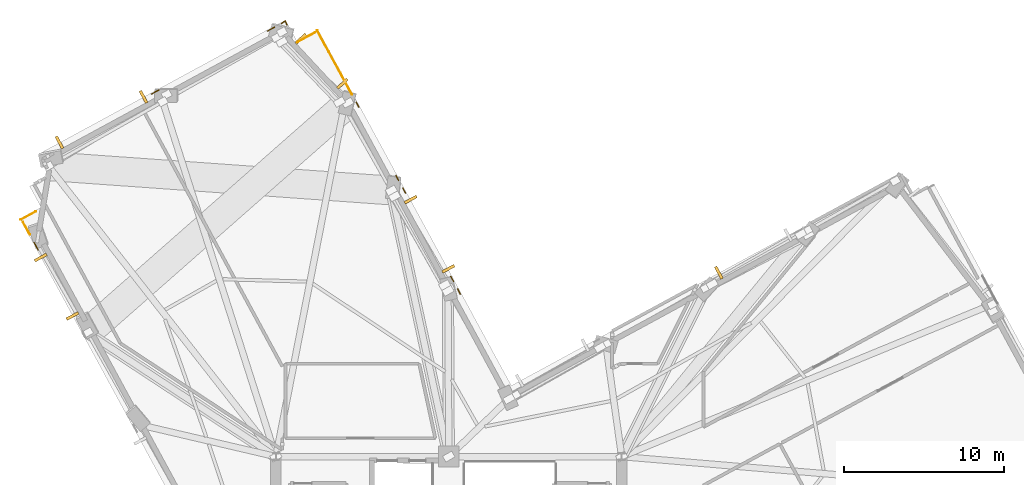
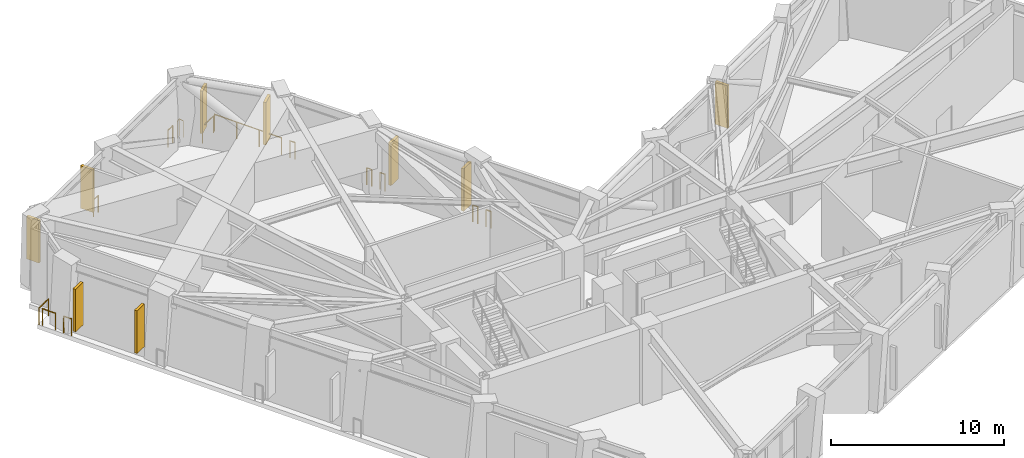
# One storey, part 14 of 15: 13 railings, 9 shading devices.
"""IFC4 building model written with IfcOpenShell, lengths in metres."""

from ifc_helpers import new_model, si_unit, direction, frame, origin, origin_2d, place, context, subcontext, project, spatial, rectangle, circle, extrude, material, layer, layer_set, type_object, element, save


model = new_model("IFC4")

# Units and contexts
model_context = context("Model", 3, precision=1e-05, world=origin(), true_north=direction((0.0, 1.0)))
body_context = subcontext(model_context, "Body", "Model", "MODEL_VIEW")
ifc_project = project(units=[si_unit("LENGTHUNIT", "METRE"), si_unit("AREAUNIT", "SQUARE_METRE"), si_unit("VOLUMEUNIT", "CUBIC_METRE"), si_unit("PLANEANGLEUNIT", "RADIAN"), si_unit("MASSUNIT", "GRAM", prefix="KILO")], contexts=[model_context])

# Site, building, storey
site_placement = place(None, origin())
site = spatial("IfcSite", under=ifc_project, at=site_placement, CompositionType="ELEMENT")
building_placement = place(site_placement, origin())
building = spatial("IfcBuilding", under=site, at=building_placement, Name="Gaonmaruhae Medical Tower", CompositionType="ELEMENT")
storey_placement = place(building_placement, frame((0.0, 0.0, 144.39990234375)))
storey = spatial("IfcBuildingStorey", under=building, at=storey_placement, Name="L34", CompositionType="ELEMENT", Elevation=144.39990234375)

# Railings
ifc_material_1 = material(Name="Stainless steel 316L and laminated safety glass", Category="steel")
ifc_layer = layer(ifc_material_1, 0.080078125)
ifc_layer_set = layer_set([ifc_layer], Name="Stainless steel 316L and laminated safety glass")
railing_type = type_object("IfcRailingType", Name="GD-120 Outdoor Terrace Safety Glass & Steel Balustrade", PredefinedType="BALUSTRADE", material=ifc_layer_set)
railing_1_placement = place(storey_placement, frame((25.517578125, 26.96484375, 0.0)))
element("IfcRailing", 1, at=railing_1_placement, inside=storey, type_object=railing_type, Name="L34 Perimeter Slab Edge Safety Balustrade 10", PredefinedType="BALUSTRADE", context=body_context, shape_type="SweptSolid", body=[
    extrude(circle(Radius=0.02392578125, at=origin_2d()), frame((0.0, 0.0, 1.17578125), z_axis=(-0.476885497697, 0.878965427128, 0.0), x_axis=(-0.878965427128, -0.476885497697, 0.0)), (0.0, 0.0, 1.0), 0.33935546875),
    extrude(circle(Radius=0.02099609375, at=origin_2d()), origin(), (0.0, 0.0, 1.0), 1.15185546875),
    extrude(circle(Radius=0.02099609375, at=origin_2d()), frame((-0.161865234375, 0.29833984375, 0.0)), (0.0, 0.0, 1.0), 1.15185546875),
])
for number, where, name in (
    (2, (25.089599609375, 27.753173828125, 0.0), "L34 Perimeter Slab Edge Safety Balustrade 11"),
    (3, (22.093017578125, 33.272216796875, 0.0), "L34 Perimeter Slab Edge Safety Balustrade 12"),
    (4, (21.664794921875, 34.060791015625, 0.0), "L34 Perimeter Slab Edge Safety Balustrade 13"),
):
    element("IfcRailing", number, at=place(storey_placement, frame(where)), inside=storey, type_object=railing_type, Name=name, PredefinedType="BALUSTRADE", context=body_context, shape_type="SweptSolid", body=[
        extrude(circle(Radius=0.02392578125, at=origin_2d()), frame((0.0, 0.0, 1.17578125), z_axis=(-0.477440916625, 0.878663855597, 0.0), x_axis=(-0.878663855597, -0.477440916625, 0.0)), (0.0, 0.0, 1.0), 0.339599609375),
        extrude(circle(Radius=0.02099609375, at=origin_2d()), origin(), (0.0, 0.0, 1.0), 1.15185546875),
        extrude(circle(Radius=0.02099609375, at=origin_2d()), frame((-0.162109375, 0.29833984375, 0.0)), (0.0, 0.0, 1.0), 1.15185546875),
    ])
railing_2_placement = place(storey_placement, frame((19.181884765625, 38.6337890625, 0.0)))
element("IfcRailing", 5, at=railing_2_placement, inside=storey, type_object=railing_type, Name="L34 Perimeter Slab Edge Safety Balustrade 14", PredefinedType="BALUSTRADE", context=body_context, shape_type="SweptSolid", body=[
    extrude(circle(Radius=0.02392578125, at=origin_2d()), frame((0.0, 0.0, 1.17578125), z_axis=(-0.477187159755, 0.8788016924, 0.0), x_axis=(-0.8788016924, -0.477187159755, 0.0)), (0.0, 0.0, 1.0), 0.339111328125),
    extrude(circle(Radius=0.02099609375, at=origin_2d()), origin(), (0.0, 0.0, 1.0), 1.15185546875),
    extrude(circle(Radius=0.02099609375, at=origin_2d()), frame((-0.161865234375, 0.298095703125, 0.0)), (0.0, 0.0, 1.0), 1.15185546875),
])
railing_3_placement = place(storey_placement, frame((18.75390625, 39.422119140625, 0.0)))
element("IfcRailing", 6, at=railing_3_placement, inside=storey, type_object=railing_type, Name="L34 Perimeter Slab Edge Safety Balustrade 15", PredefinedType="BALUSTRADE", context=body_context, shape_type="SweptSolid", body=[
    extrude(circle(Radius=0.02392578125, at=origin_2d()), frame((0.0, 0.0, 1.17578125), z_axis=(-0.477184306277, 0.878803241825, 0.0), x_axis=(-0.878803241825, -0.477184306277, 0.0)), (0.0, 0.0, 1.0), 4.5458984375),
    extrude(circle(Radius=0.02099609375, at=origin_2d()), origin(), (0.0, 0.0, 1.0), 1.15185546875),
    extrude(circle(Radius=0.02099609375, at=origin_2d()), frame((-0.72314453125, 1.33154296875, 0.0)), (0.0, 0.0, 1.0), 1.15185546875),
    extrude(circle(Radius=0.02099609375, at=origin_2d()), frame((-1.446044921875, 2.663330078125, 0.0)), (0.0, 0.0, 1.0), 1.15185546875),
    extrude(circle(Radius=0.02099609375, at=origin_2d()), frame((-2.169189453125, 3.994873046875, 0.0)), (0.0, 0.0, 1.0), 1.15185546875),
])
railing_4_placement = place(storey_placement, frame((16.447509765625, 43.28564453125, 0.0)))
element("IfcRailing", 7, at=railing_4_placement, inside=storey, type_object=railing_type, Name="L34 Perimeter Slab Edge Safety Balustrade 16", PredefinedType="BALUSTRADE", context=body_context, shape_type="SweptSolid", body=[
    extrude(circle(Radius=0.02392578125, at=origin_2d()), frame((0.0, 0.0, 1.17578125), z_axis=(-0.878791440117, -0.477206040172, 0.0), x_axis=(0.477206040172, -0.878791440117, 0.0)), (0.0, 0.0, 1.0), 1.226806640625),
    extrude(circle(Radius=0.02099609375, at=origin_2d()), origin(), (0.0, 0.0, 1.0), 1.15185546875),
    extrude(circle(Radius=0.02099609375, at=origin_2d()), frame((-1.078125, -0.58544921875, 0.0)), (0.0, 0.0, 1.0), 1.15185546875),
])
railing_5_placement = place(storey_placement, frame((13.921630859375, 43.62109375, 0.0)))
element("IfcRailing", 8, at=railing_5_placement, inside=storey, type_object=railing_type, Name="L34 Perimeter Slab Edge Safety Balustrade 17", PredefinedType="BALUSTRADE", context=body_context, shape_type="SweptSolid", body=[
    extrude(circle(Radius=0.02392578125, at=origin_2d()), frame((0.0, 0.0, 1.17578125), z_axis=(-0.878904346633, -0.476998060236, 0.0), x_axis=(0.476998060236, -0.878904346633, 0.0)), (0.0, 0.0, 1.0), 0.516845703125),
    extrude(circle(Radius=0.02099609375, at=origin_2d()), origin(), (0.0, 0.0, 1.0), 1.15185546875),
    extrude(circle(Radius=0.02099609375, at=origin_2d()), frame((-0.454345703125, -0.24658203125, 0.0)), (0.0, 0.0, 1.0), 1.15185546875),
])
railing_6_placement = place(storey_placement, frame((6.702880859375, 39.70166015625, 0.0)))
element("IfcRailing", 9, at=railing_6_placement, inside=storey, type_object=railing_type, Name="L34 Perimeter Slab Edge Safety Balustrade 18", PredefinedType="BALUSTRADE", context=body_context, shape_type="SweptSolid", body=[
    extrude(circle(Radius=0.02392578125, at=origin_2d()), frame((0.0, 0.0, 1.17578125), z_axis=(-0.878813849563, -0.477164770091, 0.0), x_axis=(0.477164770091, -0.878813849563, 0.0)), (0.0, 0.0, 1.0), 0.517333984375),
    extrude(circle(Radius=0.02099609375, at=origin_2d()), origin(), (0.0, 0.0, 1.0), 1.15185546875),
    extrude(circle(Radius=0.02099609375, at=origin_2d()), frame((-0.45458984375, -0.246826171875, 0.0)), (0.0, 0.0, 1.0), 1.15185546875),
])
railing_7_placement = place(storey_placement, frame((-0.9990234375, 32.106201171875, 0.0)))
element("IfcRailing", 10, at=railing_7_placement, inside=storey, type_object=railing_type, Name="L34 Perimeter Slab Edge Safety Balustrade 19", PredefinedType="BALUSTRADE", context=body_context, shape_type="SweptSolid", body=[
    extrude(circle(Radius=0.02392578125, at=origin_2d()), frame((0.0, 0.0, 1.17578125), z_axis=(-0.878756832449, -0.477269765881, 0.0), x_axis=(0.477269765881, -0.878756832449, 0.0)), (0.0, 0.0, 1.0), 1.059814453125),
    extrude(circle(Radius=0.02099609375, at=origin_2d()), origin(), (0.0, 0.0, 1.0), 1.15185546875),
    extrude(circle(Radius=0.02099609375, at=origin_2d()), frame((-0.931396484375, -0.505859375, 0.0)), (0.0, 0.0, 1.0), 1.15185546875),
])
railing_8_placement = place(storey_placement, frame((-1.78662109375, 31.43994140625, 0.0)))
element("IfcRailing", 11, at=railing_8_placement, inside=storey, type_object=railing_type, Name="L34 Perimeter Slab Edge Safety Balustrade 20", PredefinedType="BALUSTRADE", context=body_context, shape_type="SweptSolid", body=[
    extrude(circle(Radius=0.02392578125, at=origin_2d()), frame((0.0, 0.0, 1.17578125), z_axis=(0.47727566687, -0.878753627483, 0.0), x_axis=(0.878753627483, 0.47727566687, 0.0)), (0.0, 0.0, 1.0), 0.87939453125),
    extrude(circle(Radius=0.02099609375, at=origin_2d()), origin(), (0.0, 0.0, 1.0), 1.15185546875),
    extrude(circle(Radius=0.02099609375, at=origin_2d()), frame((0.419677734375, -0.772705078125, 0.0)), (0.0, 0.0, 1.0), 1.15185546875),
])
railing_9_placement = place(storey_placement, frame((-1.10009765625, 30.175537109375, 0.0)))
element("IfcRailing", 12, at=railing_9_placement, inside=storey, type_object=railing_type, Name="L34 Perimeter Slab Edge Safety Balustrade 21", PredefinedType="BALUSTRADE", context=body_context, shape_type="SweptSolid", body=[
    extrude(circle(Radius=0.02392578125, at=origin_2d()), frame((0.0, 0.0, 1.17578125), z_axis=(0.477402916874, -0.878684502515, 0.0), x_axis=(0.878684502515, 0.477402916874, 0.0)), (0.0, 0.0, 1.0), 0.51953125),
    extrude(circle(Radius=0.02099609375, at=origin_2d()), origin(), (0.0, 0.0, 1.0), 1.15185546875),
    extrude(circle(Radius=0.02099609375, at=origin_2d()), frame((0.248046875, -0.45654296875, 0.0)), (0.0, 0.0, 1.0), 1.15185546875),
])
railing_10_placement = place(storey_placement, frame((14.69384765625, 43.756103515625, 0.0)))
element("IfcRailing", 13, at=railing_10_placement, inside=storey, type_object=railing_type, Name="L34 Perimeter Corner Safety Balustrade 30", PredefinedType="BALUSTRADE", context=body_context, shape_type="SweptSolid", body=[
    extrude(circle(Radius=0.02392578125, at=origin_2d()), frame((0.0, 0.0, 1.17578125), z_axis=(-0.366546827554, 0.930399604047, 0.0), x_axis=(-0.930399604047, -0.366546827554, 0.0)), (0.0, 0.0, 1.0), 0.287109375),
    extrude(circle(Radius=0.02392578125, at=origin_2d()), frame((-0.105224609375, 0.26708984375, 1.17578125), z_axis=(-0.813963282255, -0.580916323699, 0.0), x_axis=(0.580916323699, -0.813963282255, 0.0)), (0.0, 0.0, 1.0), 0.287109375),
    extrude(circle(Radius=0.02099609375, at=origin_2d()), origin(), (0.0, 0.0, 1.0), 1.15185546875),
    extrude(circle(Radius=0.02099609375, at=origin_2d()), frame((-0.105224609375, 0.26708984375, 0.0)), (0.0, 0.0, 1.0), 1.15185546875),
    extrude(circle(Radius=0.02099609375, at=origin_2d()), frame((-0.3388671875, 0.100341796875, 0.0)), (0.0, 0.0, 1.0), 1.15185546875),
])

# Shading devices
ifc_material_2 = material(Name="Pigmented coral precast concrete C45/55", Category="concrete")
shading_device_type = type_object("IfcShadingDeviceType", Name="SD-FIN1 Tower Vertical Coral Precast Shading Fin", PredefinedType="USERDEFINED", material=ifc_material_2)
for number, where, z_axis, x_axis, name in (
    (14, (41.666748046875, 28.28662109375, 0.772705078125), (0.0, 0.0, 1.0), (0.878817112662, 0.47715876026, 0.0), "L34 Vertical Coral Precast Shading Fin EN01"),
    (15, (22.418212890625, 32.8515625, 0.78271484375), (0.0, 0.0, 1.0), (0.47715876026, -0.878817112662, 0.0), "L34 Vertical Coral Precast Shading Fin NE01"),
    (16, (24.76708984375, 28.525390625, 0.78271484375), (0.0, 0.0, 1.0), (0.47715876026, -0.878817112662, 0.0), "L34 Vertical Coral Precast Shading Fin NE01B"),
    (17, (15.550048828125, 42.89697265625, 0.772705078125), (0.0, 0.0, 1.0), (0.680490700232, -0.732756717402, 0.0), "L34 Vertical Coral Precast Shading Fin NE03"),
    (18, (18.155517578125, 40.091552734375, 0.772705078125), (0.0, 0.0, 1.0), (0.680490700232, -0.732756717402, 0.0), "L34 Vertical Coral Precast Shading Fin NE03B"),
    (19, (0.484375, 36.421875, 0.772705078125), (0.0, 0.0, 1.0), (0.878808784537, 0.477174098439, 0.0), "L34 Vertical Coral Precast Shading Fin N02"),
    (20, (5.73095703125, 39.270751953125, 0.772705078125), (0.0, 0.0, 1.0), (0.878808784537, 0.477174098439, 0.0), "L34 Vertical Coral Precast Shading Fin N02B"),
    (21, (1.296875, 25.5830078125, 0.772705078125), (0.0, 0.0, 1.0), (-0.47715876026, 0.878817112662, 0.0), "L34 Vertical Coral Precast Shading Fin W01"),
    (22, (-0.68603515625, 29.235107421875, 0.772705078125), (0.0, 0.0, 1.0), (-0.47715876026, 0.878817112662, 0.0), "L34 Vertical Coral Precast Shading Fin W01B"),
):
    element("IfcShadingDevice", number, at=place(storey_placement, frame(where, z_axis=z_axis, x_axis=x_axis)), inside=storey, type_object=shading_device_type, Name=name, ObjectType="FIN", PredefinedType="USERDEFINED", context=body_context, shape_type="SweptSolid", body=[
        extrude(rectangle(XDim=0.179931640625, YDim=0.85009765625, at=origin_2d()), origin(), (0.0, 0.0, 1.0), 3.0),
    ])

save(model, "model.ifc")
